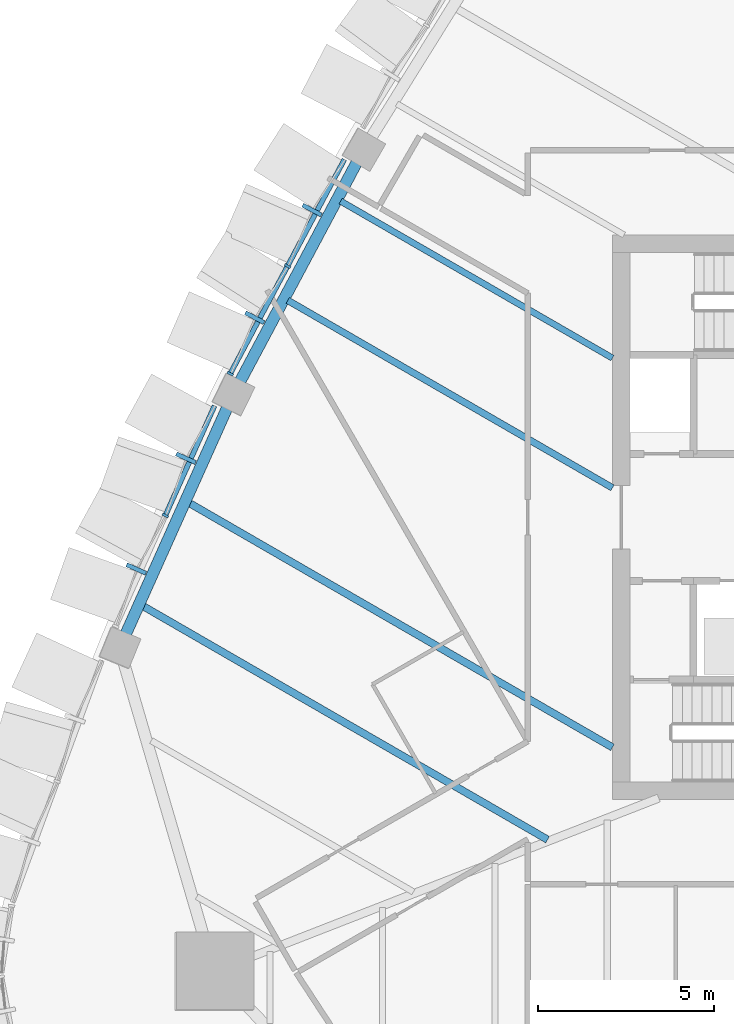
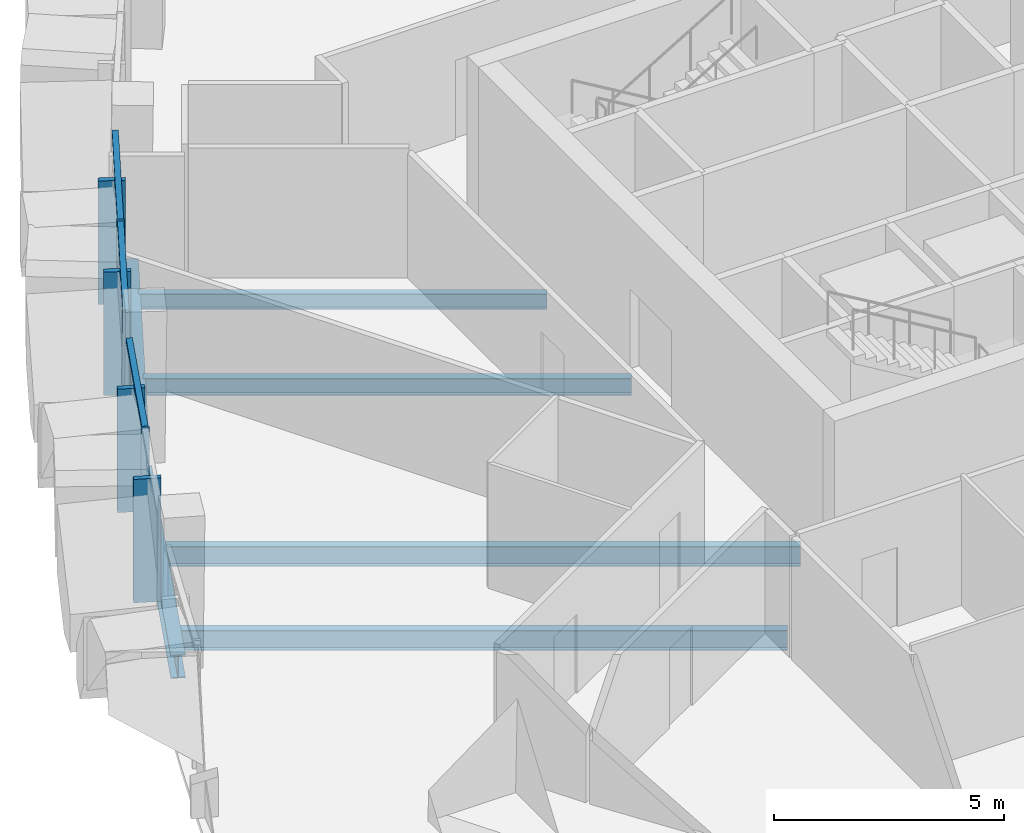
# One storey, part 3 of 19: 10 members, 6 beams, 2 elements without a shape of their own.
"""IFC4 building model written with IfcOpenShell, lengths in metres."""

from ifc_helpers import new_model, si_unit, direction, frame, origin, origin_2d, place, context, subcontext, project, spatial, rectangle, i_section, extrude, material, layer, layer_set, material_profile, profile_set, type_object, element, aggregate, save


model = new_model("IFC4")

# Units and contexts
model_context = context("Model", 3, precision=1e-05, world=origin(), true_north=direction((0.0, 1.0)))
body_context = subcontext(model_context, "Body", "Model", "MODEL_VIEW")
ifc_project = project(units=[si_unit("LENGTHUNIT", "METRE"), si_unit("AREAUNIT", "SQUARE_METRE"), si_unit("VOLUMEUNIT", "CUBIC_METRE"), si_unit("PLANEANGLEUNIT", "RADIAN"), si_unit("MASSUNIT", "GRAM", prefix="KILO")], contexts=[model_context])

# Site, building, storey
site_placement = place(None, origin())
site = spatial("IfcSite", under=ifc_project, at=site_placement, CompositionType="ELEMENT")
building_placement = place(site_placement, origin())
building = spatial("IfcBuilding", under=site, at=building_placement, Name="Sierra Prisma Convention Tower", CompositionType="ELEMENT")
storey_placement = place(building_placement, frame((0.0, 0.0, 231.0)))
storey = spatial("IfcBuildingStorey", under=building, at=storey_placement, Name="L51", CompositionType="ELEMENT", Elevation=231.0)

# Curtain wall, members
ifc_material_1 = material(Name="Aluminium and glass curtain wall", Category="aluminium")
ifc_layer = layer(ifc_material_1, 0.179931640625)
ifc_layer_set = layer_set([ifc_layer], Name="CW-2 Faceted crystal curtain wall")
curtain_wall_type = type_object("IfcCurtainWallType", Name="CW-2 Faceted crystal curtain wall", PredefinedType="NOTDEFINED", material=ifc_layer_set)
curtain_wall_1_placement = place(storey_placement, origin())
curtain_wall_1 = element("IfcCurtainWall", 1, at=curtain_wall_1_placement, inside=storey, type_object=curtain_wall_type, Name="CW-2 NW4 L51", PredefinedType="NOTDEFINED")
ifc_material_2 = material(Name="Aluminium 6063-T6 bronze anodised", Category="aluminium")
ifc_material_profile_1 = material_profile(ifc_material_2, rectangle(XDim=0.1201171875, YDim=0.60009765625, at=origin_2d()), Name="ALU RIDGE BLADE 120x600")
ifc_profile_set_1 = profile_set([ifc_material_profile_1], Name="Aluminium 6063-T6 bronze anodised")
member_type_1 = type_object("IfcMemberType", Name="CW hip bronze", PredefinedType="MULLION", material=ifc_profile_set_1)
member_1_placement = place(storey_placement, frame((-19.511474609375, 8.706298828125, 0.0), z_axis=(0.0, 0.0, 1.0), x_axis=(-0.470208382184, -0.882555424506, 0.0)))
member_1 = element("IfcMember", 2, at=member_1_placement, type_object=member_type_1, Name="CW-2 ridge NW4.1", PredefinedType="MULLION", context=body_context, shape_type="SweptSolid", body=[
    extrude(rectangle(XDim=0.1201171875, YDim=0.60009765625, at=origin_2d()), origin(), (0.0, 0.0, 1.0), 3.280029296875),
])
member_2_placement = place(storey_placement, frame((-21.13623046875, 5.656982421875, 0.0), z_axis=(0.0, 0.0, 1.0), x_axis=(-0.470208382184, -0.882555424506, 0.0)))
member_2 = element("IfcMember", 3, at=member_2_placement, type_object=member_type_1, Name="CW-2 ridge NW4.2", PredefinedType="MULLION", context=body_context, shape_type="SweptSolid", body=[
    extrude(rectangle(XDim=0.1201171875, YDim=0.60009765625, at=origin_2d()), origin(), (0.0, 0.0, 1.0), 3.280029296875),
])

curtain_wall_2_placement = place(storey_placement, origin())
curtain_wall_2 = element("IfcCurtainWall", 4, at=curtain_wall_2_placement, inside=storey, type_object=curtain_wall_type, Name="CW-2 NW5 L51", PredefinedType="NOTDEFINED")
member_3_placement = place(storey_placement, frame((-23.08740234375, 1.67333984375, 0.0), z_axis=(0.0, 0.0, 1.0), x_axis=(-0.409022933289, -0.912524103815, 0.0)))
member_3 = element("IfcMember", 5, at=member_3_placement, type_object=member_type_1, Name="CW-2 ridge NW5.1", PredefinedType="MULLION", context=body_context, shape_type="SweptSolid", body=[
    extrude(rectangle(XDim=0.1201171875, YDim=0.60009765625, at=origin_2d()), origin(), (0.0, 0.0, 1.0), 3.280029296875),
])
member_4_placement = place(storey_placement, frame((-24.494140625, -1.465087890625, 0.0), z_axis=(0.0, 0.0, 1.0), x_axis=(-0.409022933289, -0.912524103815, 0.0)))
member_4 = element("IfcMember", 6, at=member_4_placement, type_object=member_type_1, Name="CW-2 ridge NW5.2", PredefinedType="MULLION", context=body_context, shape_type="SweptSolid", body=[
    extrude(rectangle(XDim=0.1201171875, YDim=0.60009765625, at=origin_2d()), origin(), (0.0, 0.0, 1.0), 3.280029296875),
])

# Member
ifc_material_3 = material(Name="Aluminium 6063-T6 bronze anodised", Category="aluminium")
ifc_material_profile_2 = material_profile(ifc_material_3, rectangle(XDim=0.179931640625, YDim=0.070068359375, at=origin_2d()), Name="ALU MULLION 70x180")
ifc_profile_set_2 = profile_set([ifc_material_profile_2], Name="Aluminium 6063-T6 bronze anodised")
member_type_2 = type_object("IfcMemberType", Name="CW mullion bronze", PredefinedType="MULLION", material=ifc_profile_set_2)
member_5_placement = place(storey_placement, frame((-20.206298828125, 7.119140625, 0.0), z_axis=(0.0, 0.0, 1.0), x_axis=(0.882555424506, -0.470208382184, 0.0)))
member_5 = element("IfcMember", 7, at=member_5_placement, type_object=member_type_2, Name="CW-1 mullion NW4.2", PredefinedType="MULLION", context=body_context, shape_type="SweptSolid", body=[
    extrude(rectangle(XDim=0.179931640625, YDim=0.070068359375, at=origin_2d()), origin(), (0.0, 0.0, 1.0), 3.39990234375),
])

member_6_placement = place(storey_placement, frame((-21.830810546875, 4.069580078125, 0.0), z_axis=(0.0, 0.0, 1.0), x_axis=(0.882555424506, -0.470208382184, 0.0)))
member_6 = element("IfcMember", 8, at=member_6_placement, type_object=member_type_2, Name="CW-1 mullion NW4.3", PredefinedType="MULLION", context=body_context, shape_type="SweptSolid", body=[
    extrude(rectangle(XDim=0.179931640625, YDim=0.070068359375, at=origin_2d()), origin(), (0.0, 0.0, 1.0), 3.39990234375),
])

member_7_placement = place(storey_placement, frame((-23.669677734375, 0.0498046875, 0.0), z_axis=(0.0, 0.0, 1.0), x_axis=(0.912524103815, -0.409022933289, 0.0)))
member_7 = element("IfcMember", 9, at=member_7_placement, type_object=member_type_2, Name="CW-1 mullion NW5.2", PredefinedType="MULLION", context=body_context, shape_type="SweptSolid", body=[
    extrude(rectangle(XDim=0.179931640625, YDim=0.070068359375, at=origin_2d()), origin(), (0.0, 0.0, 1.0), 3.39990234375),
])

ifc_material_4 = material(Name="Aluminium 6063-T6 bronze anodised", Category="aluminium")
ifc_material_profile_3 = material_profile(ifc_material_4, rectangle(XDim=0.139892578125, YDim=0.1201171875, at=origin_2d()), Name="ALU TRANSOM 120x140")
ifc_profile_set_3 = profile_set([ifc_material_profile_3], Name="Aluminium 6063-T6 bronze anodised")
member_type_3 = type_object("IfcMemberType", Name="CW transom bronze", PredefinedType="USERDEFINED", material=ifc_profile_set_3)
member_8_placement = place(storey_placement, frame((-18.59814453125, 10.137451171875, 3.340087890625), z_axis=(-0.470172662294, -0.88257445444, 0.0), x_axis=(0.88257445444, -0.470172662294, 0.0)))
member_8 = element("IfcMember", 10, at=member_8_placement, type_object=member_type_3, Name="CW-1 transom NW4.1", ObjectType="TRANSOM", PredefinedType="USERDEFINED", context=body_context, shape_type="SweptSolid", body=[
    extrude(rectangle(XDim=0.139892578125, YDim=0.1201171875, at=origin_2d()), origin(), (0.0, 0.0, 1.0), 3.385009765625),
])

member_9_placement = place(storey_placement, frame((-20.22265625, 7.088134765625, 3.340087890625), z_axis=(-0.470228839096, -0.882544525156, 0.0), x_axis=(0.882544525156, -0.470228839096, 0.0)))
member_9 = element("IfcMember", 11, at=member_9_placement, type_object=member_type_3, Name="CW-1 transom NW4.2", ObjectType="TRANSOM", PredefinedType="USERDEFINED", context=body_context, shape_type="SweptSolid", body=[
    extrude(rectangle(XDim=0.139892578125, YDim=0.1201171875, at=origin_2d()), origin(), (0.0, 0.0, 1.0), 3.38525390625),
])

aggregate(curtain_wall_1, [member_5, member_6, member_8, member_1, member_9, member_2])

member_10_placement = place(storey_placement, frame((-22.27734375, 3.15625, 3.340087890625), z_axis=(-0.409047581716, -0.91251305519, 0.0), x_axis=(0.91251305519, -0.409047581716, 0.0)))
member_10 = element("IfcMember", 12, at=member_10_placement, type_object=member_type_3, Name="CW-1 transom NW5.1", ObjectType="TRANSOM", PredefinedType="USERDEFINED", context=body_context, shape_type="SweptSolid", body=[
    extrude(rectangle(XDim=0.139892578125, YDim=0.1201171875, at=origin_2d()), origin(), (0.0, 0.0, 1.0), 3.369140625),
])

aggregate(curtain_wall_2, [member_7, member_10, member_3, member_4])

# Beams
ifc_material_5 = material(Name="Steel ASTM A992 Gr 50", Category="steel")
ifc_material_profile_4 = material_profile(ifc_material_5, i_section(OverallWidth=0.177978515625, OverallDepth=0.406982421875, WebThickness=0.0078125, FlangeThickness=0.0126953125, at=origin_2d()), Name="W410x60")
ifc_profile_set_4 = profile_set([ifc_material_profile_4], Name="Steel ASTM A992 Gr 50")
beam_type_1 = type_object("IfcBeamType", Name="Floor joist W410x60", PredefinedType="JOIST", material=ifc_profile_set_4)
beam_1_placement = place(storey_placement, frame((-18.7021484375, 8.958984375, -0.353515625), z_axis=(0.866028331371, -0.499994929238, 0.0), x_axis=(0.499994929238, 0.866028331371, 0.0)))
element("IfcBeam", 13, at=beam_1_placement, inside=storey, type_object=beam_type_1, Name="Floor joist L51 NW08", PredefinedType="JOIST", context=body_context, shape_type="SweptSolid", body=[
    extrude(i_section(OverallWidth=0.177978515625, OverallDepth=0.406982421875, WebThickness=0.0078125, FlangeThickness=0.0126953125, at=origin_2d()), origin(), (0.0, 0.0, 1.0), 8.8935546875),
])
ifc_material_6 = material(Name="Steel ASTM A992 Gr 50", Category="steel")
ifc_material_profile_5 = material_profile(ifc_material_6, i_section(OverallWidth=0.18994140625, OverallDepth=0.45703125, WebThickness=0.009033203125, FlangeThickness=0.014404296875, at=origin_2d()), Name="W460x74")
ifc_profile_set_5 = profile_set([ifc_material_profile_5], Name="Steel ASTM A992 Gr 50")
beam_type_2 = type_object("IfcBeamType", Name="Floor joist W460x74", PredefinedType="JOIST", material=ifc_profile_set_5)
beam_2_placement = place(storey_placement, frame((-20.200439453125, 6.146728515625, -0.37841796875), z_axis=(0.866029830877, -0.499992331973, 0.0), x_axis=(0.499992331973, 0.866029830877, 0.0)))
element("IfcBeam", 14, at=beam_2_placement, inside=storey, type_object=beam_type_2, Name="Floor joist L51 NW09", PredefinedType="JOIST", context=body_context, shape_type="SweptSolid", body=[
    extrude(i_section(OverallWidth=0.18994140625, OverallDepth=0.45703125, WebThickness=0.009033203125, FlangeThickness=0.014404296875, at=origin_2d()), origin(), (0.0, 0.0, 1.0), 10.623779296875),
])
ifc_material_7 = material(Name="Steel ASTM A992 Gr 50", Category="steel")
ifc_material_profile_6 = material_profile(ifc_material_7, i_section(OverallWidth=0.208984375, OverallDepth=0.532958984375, WebThickness=0.01025390625, FlangeThickness=0.015625, at=origin_2d()), Name="W530x92")
ifc_profile_set_6 = profile_set([ifc_material_profile_6], Name="Steel ASTM A992 Gr 50")
beam_type_3 = type_object("IfcBeamType", Name="Floor joist W530x92", PredefinedType="JOIST", material=ifc_profile_set_6)
beam_3_placement = place(storey_placement, frame((-23.001708984375, 0.409423828125, -0.41650390625), z_axis=(0.866025113017, -0.500000503624, 0.0), x_axis=(0.500000503624, 0.866025113017, 0.0)))
element("IfcBeam", 15, at=beam_3_placement, inside=storey, type_object=beam_type_3, Name="Floor joist L51 NW11", PredefinedType="JOIST", context=body_context, shape_type="SweptSolid", body=[
    extrude(i_section(OverallWidth=0.208984375, OverallDepth=0.532958984375, WebThickness=0.01025390625, FlangeThickness=0.015625, at=origin_2d()), origin(), (0.0, 0.0, 1.0), 13.8583984375),
])
beam_4_placement = place(storey_placement, frame((-24.31103515625, -2.51171875, -0.41650390625), z_axis=(0.866022923061, -0.500004296715, 0.0), x_axis=(0.500004296715, 0.866022923061, 0.0)))
element("IfcBeam", 16, at=beam_4_placement, inside=storey, type_object=beam_type_3, Name="Floor joist L51 NW12", PredefinedType="JOIST", context=body_context, shape_type="SweptSolid", body=[
    extrude(i_section(OverallWidth=0.208984375, OverallDepth=0.532958984375, WebThickness=0.01025390625, FlangeThickness=0.015625, at=origin_2d()), origin(), (0.0, 0.0, 1.0), 13.2470703125),
])
ifc_material_8 = material(Name="Steel ASTM A992 Gr 50", Category="steel")
ifc_material_profile_7 = material_profile(ifc_material_8, i_section(OverallWidth=0.324951171875, OverallDepth=0.615966796875, WebThickness=0.013916015625, FlangeThickness=0.021484375, at=origin_2d()), Name="W610x174")
ifc_profile_set_7 = profile_set([ifc_material_profile_7], Name="Steel ASTM A992 Gr 50")
beam_type_4 = type_object("IfcBeamType", Name="Spandrel beam W610x174", PredefinedType="BEAM", material=ifc_profile_set_7)
for number, where, z_axis, x_axis, name in (
    (17, (-18.205810546875, 10.1298828125, -0.4580078125), (-0.47021726443, -0.88255069216, 0.0), (0.88255069216, -0.47021726443, 0.0), "Spandrel L51-16"),
    (18, (-21.885498046875, 3.175537109375, -0.4580078125), (-0.409002417148, -0.912533299539, 0.0), (0.912533299539, -0.409002417148, 0.0), "Spandrel L51-17"),
):
    element("IfcBeam", number, at=place(storey_placement, frame(where, z_axis=z_axis, x_axis=x_axis)), inside=storey, type_object=beam_type_4, Name=name, PredefinedType="BEAM", context=body_context, shape_type="SweptSolid", body=[
        extrude(i_section(OverallWidth=0.324951171875, OverallDepth=0.615966796875, WebThickness=0.013916015625, FlangeThickness=0.021484375, at=origin_2d()), origin(), (0.0, 0.0, 1.0), 7.208251953125),
    ])

save(model, "model.ifc")
